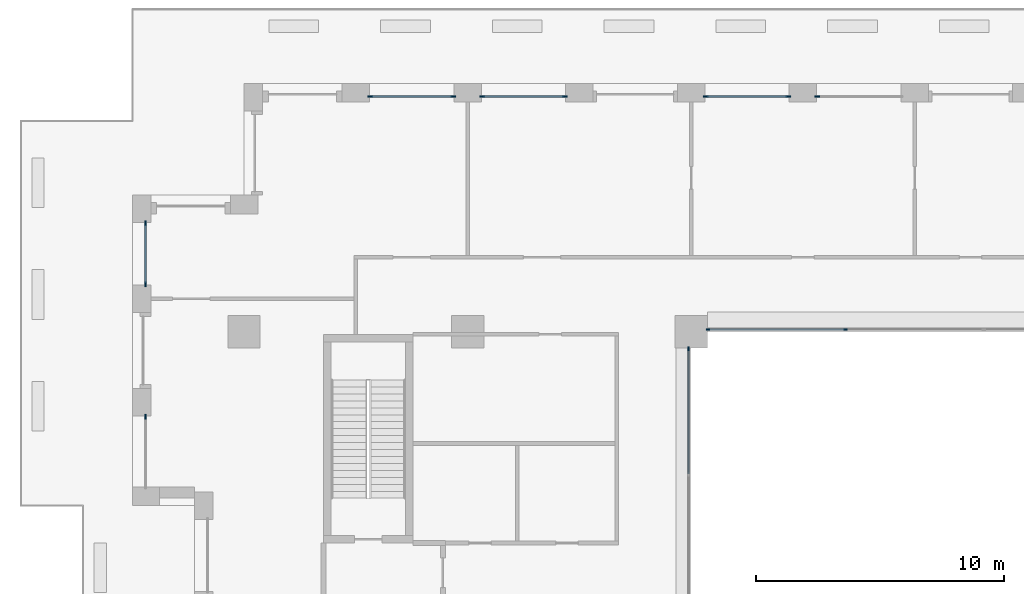
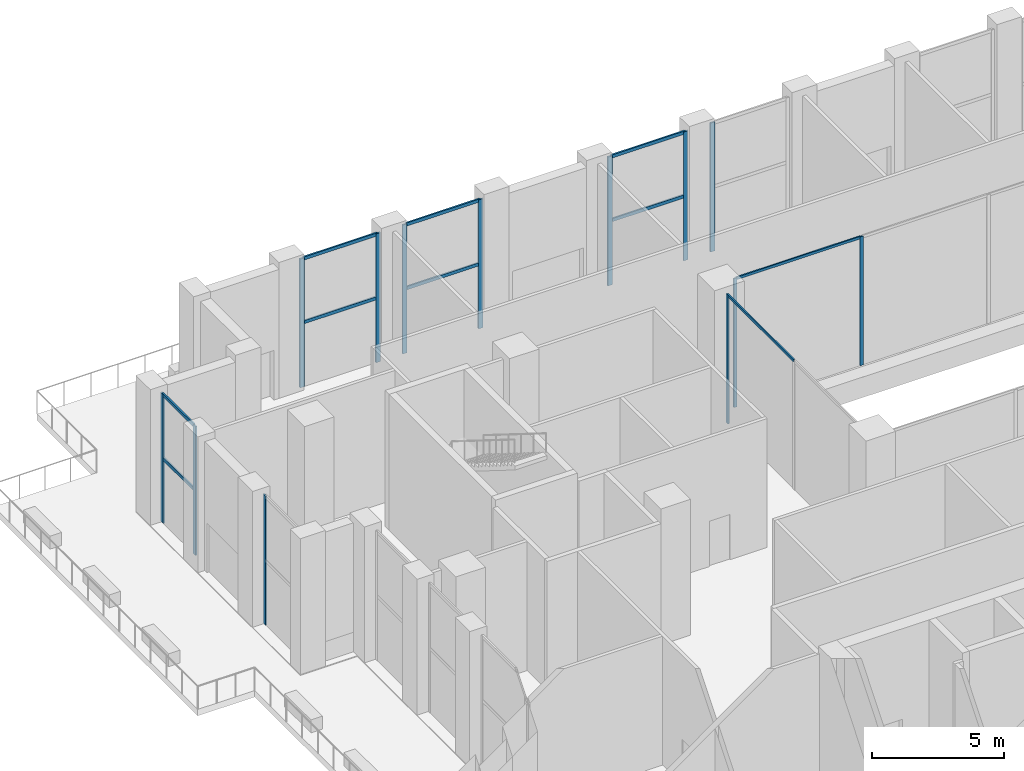
# One storey, part 6 of 21: 23 members, 8 elements without a shape of their own.
"""IFC4 building model written with IfcOpenShell, lengths in metres."""

import ifcopenshell
import ifcopenshell.guid

model = None  # the IFC model being written
_history = None  # IfcOwnerHistory: only IFC2X3 demands one
_inside = {}  # id of a spatial element -> (the spatial element, [elements in it])
_under = {}  # id of a project, library or spatial element -> (it, [spatial elements below it])
_declared = {}  # id of a project -> (the project, [libraries it declares])
_typed = {}  # id of a type object -> (the type object, [elements of that type])
_made_of = {}  # id of a material, layer set ... -> (it, [elements and type objects made of it])


def new_model(schema):
    """Start an empty IFC model of exactly this schema.

    Asked for "IFC4X3", IfcOpenShell would pick the latest addendum, in which some entities
    have other attributes; the version numbers below select the first issue.
    IFC2X3 requires an IfcOwnerHistory on every rooted entity: one is made here for all.
    """
    global model, _history
    if schema == "IFC4X3":
        model = ifcopenshell.file(schema_version=(4, 3, 0, 0))
    else:
        model = ifcopenshell.file(schema=schema)
    _inside.clear()
    _under.clear()
    _declared.clear()
    _typed.clear()
    _made_of.clear()
    _history = None
    if model.schema == "IFC2X3":
        org = make("IfcOrganization", Name="unknown")
        user = make(
            "IfcPersonAndOrganization",
            ThePerson=make("IfcPerson", FamilyName="unknown"),
            TheOrganization=org,
        )
        app = make(
            "IfcApplication",
            ApplicationDeveloper=org,
            Version="unknown",
            ApplicationFullName="unknown",
            ApplicationIdentifier="unknown",
        )
        _history = make(
            "IfcOwnerHistory",
            OwningUser=user,
            OwningApplication=app,
            ChangeAction="ADDED",
            CreationDate=0,
        )
    return model


def make(cls, **values):
    """One entity of the class cls with the attributes given. An attribute that is None is left unset."""
    return model.create_entity(
        cls, **{name: value for name, value in values.items() if value is not None}
    )


def rooted(cls, **values):
    """An entity with a GlobalId (a new one), such as an element, a storey or a relation."""
    return make(cls, GlobalId=ifcopenshell.guid.new(), OwnerHistory=_history, **values)


def si_unit(unit_type, name, prefix=None):
    """IfcSIUnit, for example si_unit("LENGTHUNIT", "METRE", prefix="MILLI")."""
    return make("IfcSIUnit", UnitType=unit_type, Prefix=prefix, Name=name)


def assignment(units):
    """IfcUnitAssignment: the units of a project."""
    return None if units is None else make("IfcUnitAssignment", Units=units)


def point(xyz):
    """IfcCartesianPoint."""
    return None if xyz is None else make("IfcCartesianPoint", Coordinates=xyz)


def direction(xyz):
    """IfcDirection."""
    return None if xyz is None else make("IfcDirection", DirectionRatios=xyz)


def frame(location, z_axis=None, x_axis=None):
    """IfcAxis2Placement3D, a coordinate frame: its origin and axes. An axis left out is left unset."""
    return make(
        "IfcAxis2Placement3D",
        Location=point(location),
        Axis=direction(z_axis),
        RefDirection=direction(x_axis),
    )


def frame_2d(location, x_axis=None):
    """IfcAxis2Placement2D, a coordinate frame in the plane: its origin and x axis."""
    return make(
        "IfcAxis2Placement2D", Location=point(location), RefDirection=direction(x_axis)
    )


def origin():
    """The frame at (0, 0, 0) with its axes left unset."""
    return frame((0.0, 0.0, 0.0))


def origin_2d():
    """The frame at (0, 0) in the plane with its x axis left unset."""
    return frame_2d((0.0, 0.0))


def place(relative_to, where):
    """IfcLocalPlacement: puts the frame where relative to a parent placement (None: the world)."""
    return make(
        "IfcLocalPlacement", PlacementRelTo=relative_to, RelativePlacement=where
    )


def context(
    kind, dimensions, precision=None, world=None, true_north=None, identifier=None
):
    """IfcGeometricRepresentationContext, for example the 3D "Model" context."""
    return make(
        "IfcGeometricRepresentationContext",
        ContextIdentifier=identifier,
        ContextType=kind,
        CoordinateSpaceDimension=dimensions,
        Precision=precision,
        WorldCoordinateSystem=world,
        TrueNorth=true_north,
    )


def subcontext(parent, identifier, kind, view, scale=None):
    """IfcGeometricRepresentationSubContext, for example "Body" below "Model"."""
    return make(
        "IfcGeometricRepresentationSubContext",
        ContextIdentifier=identifier,
        ContextType=kind,
        ParentContext=parent,
        TargetScale=scale,
        TargetView=view,
    )


def project(units=None, contexts=None):
    """IfcProject with its units and contexts."""
    return rooted(
        "IfcProject",
        Name="project",
        RepresentationContexts=contexts,
        UnitsInContext=assignment(units),
    )


def spatial(cls, under=None, at=None, **own):
    """A site, building, storey or space (cls), placed at a placement, below another one or the project."""
    s = rooted(cls, ObjectPlacement=at, **own)
    if under is not None:
        _under.setdefault(under.id(), (under, []))[1].append(s)
    return s


def profile(cls, at=None, kind="AREA", **sizes):
    """A parametric profile (cls). Its sizes go by their IFC names, for example OverallWidth=200.0."""
    return make(cls, ProfileType=kind, Position=at, **sizes)


def rectangle(**sizes):
    """IfcRectangleProfileDef."""
    return profile("IfcRectangleProfileDef", **sizes)


def extrude(swept, where, along, depth):
    """IfcExtrudedAreaSolid: the profile swept, set in the frame where, extruded along a direction by depth."""
    return make(
        "IfcExtrudedAreaSolid",
        SweptArea=swept,
        Position=where,
        ExtrudedDirection=direction(along),
        Depth=depth,
    )


def shape(context_of_items, identifier, shape_type, items):
    """IfcShapeRepresentation: the items that make up one representation, for example the "Body"."""
    return make(
        "IfcShapeRepresentation",
        ContextOfItems=context_of_items,
        RepresentationIdentifier=identifier,
        RepresentationType=shape_type,
        Items=items,
    )


def material(Name=None, Category=None):
    """IfcMaterial."""
    return make("IfcMaterial", Name=Name, Category=Category)


def layer(
    of_material, thickness, ventilated=None, Name=None, Category=None, Priority=None
):
    """IfcMaterialLayer: one layer of a wall or slab, of a material (None: an air gap)."""
    return make(
        "IfcMaterialLayer",
        Material=of_material,
        LayerThickness=thickness,
        IsVentilated=ventilated,
        Name=Name,
        Category=Category,
        Priority=Priority,
    )


def layer_set(layers, Name=None):
    """IfcMaterialLayerSet."""
    return make("IfcMaterialLayerSet", MaterialLayers=layers, LayerSetName=Name)


def material_profile(
    of_material, cross_section, Name=None, Category=None, Priority=None
):
    """IfcMaterialProfile: a cross section and its material."""
    return make(
        "IfcMaterialProfile",
        Name=Name,
        Material=of_material,
        Profile=cross_section,
        Priority=Priority,
        Category=Category,
    )


def profile_set(profiles, Name=None, composite=None):
    """IfcMaterialProfileSet."""
    return make(
        "IfcMaterialProfileSet",
        Name=Name,
        MaterialProfiles=profiles,
        CompositeProfile=composite,
    )


def made_of(thing, what):
    """Note that an element or type object is made of a material, layer set ...; save() writes the relation."""
    if what is not None:
        _made_of.setdefault(what.id(), (what, []))[1].append(thing)
    return thing


def type_object(cls, material=None, **own):
    """A type object (cls), such as IfcWallType, which elements share."""
    return made_of(rooted(cls, **own), material)


def element(
    cls,
    number,
    at=None,
    inside=None,
    cuts=None,
    type_object=None,
    material=None,
    context=None,
    identifier="Body",
    shape_type=None,
    held_by="IfcProductDefinitionShape",
    body=None,
    shapes=None,
    **own,
):
    """One element of the class cls, such as IfcWall. Its Tag is "e" and its number.

    at: its placement. inside: the storey or other place that contains it. cuts: it is an
    opening in that element (IfcRelVoidsElement). A single representation is given by context,
    identifier, shape_type and body (its items); several are given by shapes. held_by: the class
    of the entity that holds the representations. save() writes the other relations.
    """
    e = rooted(cls, Tag="e%d" % number, ObjectPlacement=at, **own)
    if body is not None:
        shapes = [shape(context, identifier, shape_type, body)]
    if shapes is not None:
        e.Representation = make(held_by, Representations=shapes)
    if inside is not None:
        _inside.setdefault(inside.id(), (inside, []))[1].append(e)
    if cuts is not None:
        rooted(
            "IfcRelVoidsElement", RelatingBuildingElement=cuts, RelatedOpeningElement=e
        )
    if type_object is not None:
        _typed.setdefault(type_object.id(), (type_object, []))[1].append(e)
    return made_of(e, material)


def aggregate(whole, parts):
    """IfcRelAggregates: a whole, such as a stair, and the parts it consists of."""
    return rooted("IfcRelAggregates", RelatingObject=whole, RelatedObjects=parts)


def save(model, path):
    """Write the relations noted so far, then the file.

    IfcRelAggregates (storeys below a building ...), IfcRelContainedInSpatialStructure (elements
    in a storey), IfcRelDefinesByType, IfcRelAssociatesMaterial and IfcRelDeclares: one each for
    every whole, place, type object, material and project.
    """
    for whole, parts in _under.values():
        aggregate(whole, parts)
    for where, things in _inside.values():
        rooted(
            "IfcRelContainedInSpatialStructure",
            RelatedElements=things,
            RelatingStructure=where,
        )
    for kind, things in _typed.values():
        rooted("IfcRelDefinesByType", RelatedObjects=things, RelatingType=kind)
    for what, things in _made_of.values():
        rooted("IfcRelAssociatesMaterial", RelatedObjects=things, RelatingMaterial=what)
    for by, libraries in _declared.values():
        rooted("IfcRelDeclares", RelatingContext=by, RelatedDefinitions=libraries)
    model.write(path)


model = new_model("IFC4")

# Units and contexts
model_context = context("Model", 3, precision=1e-05, world=origin(), true_north=direction((0.0, 1.0)))
body_context = subcontext(model_context, "Body", "Model", "MODEL_VIEW")
ifc_project = project(units=[si_unit("LENGTHUNIT", "METRE"), si_unit("AREAUNIT", "SQUARE_METRE"), si_unit("VOLUMEUNIT", "CUBIC_METRE"), si_unit("PLANEANGLEUNIT", "RADIAN"), si_unit("MASSUNIT", "GRAM", prefix="KILO")], contexts=[model_context])

# Site, building, storey
site_placement = place(None, origin())
site = spatial("IfcSite", under=ifc_project, at=site_placement, CompositionType="ELEMENT")
building_placement = place(site_placement, origin())
building = spatial("IfcBuilding", under=site, at=building_placement, Name="Brigalow Station Residences", CompositionType="ELEMENT")
storey_placement = place(building_placement, frame((0.0, 0.0, 77.25)))
storey = spatial("IfcBuildingStorey", under=building, at=storey_placement, Name="L22", CompositionType="ELEMENT", Elevation=77.25)

# Curtain wall, members
ifc_material_1 = material(Name="Aluminium", Category="aluminium")
ifc_layer_1 = layer(ifc_material_1, 0.14990234375)
ifc_layer_set_1 = layer_set([ifc_layer_1], Name="ATRIUM FIRE-RATED GLAZING CURTAIN WALL")
curtain_wall_type_1 = type_object("IfcCurtainWallType", Name="ATRIUM FIRE-RATED GLAZING CURTAIN WALL", PredefinedType="NOTDEFINED", material=ifc_layer_set_1)
curtain_wall_1_placement = place(storey_placement, origin())
curtain_wall_1 = element("IfcCurtainWall", 1, at=curtain_wall_1_placement, inside=storey, type_object=curtain_wall_type_1, Name="L22/cw/atrium-N", PredefinedType="NOTDEFINED")
ifc_material_2 = material(Name="Aluminium", Category="aluminium")
ifc_material_profile_1 = material_profile(ifc_material_2, rectangle(XDim=0.06005859375, YDim=0.14990234375, at=origin_2d()), Name="ATRIUM FIRE-RATED GLAZING MULLION 60x150")
ifc_profile_set_1 = profile_set([ifc_material_profile_1], Name="Aluminium")
member_type_1 = type_object("IfcMemberType", Name="ATRIUM FIRE-RATED GLAZING MULLION 60x150", PredefinedType="MULLION", material=ifc_profile_set_1)
member_1_placement = place(storey_placement, frame((33.216796875, 35.60009765625, 0.0), z_axis=(0.0, 0.0, 1.0), x_axis=(0.0, -1.0, 0.0)))
member_1 = element("IfcMember", 2, at=member_1_placement, type_object=member_type_1, Name="L22/cw/atrium-N/M02", PredefinedType="MULLION", context=body_context, shape_type="SweptSolid", body=[
    extrude(rectangle(XDim=0.06005859375, YDim=0.14990234375, at=origin_2d()), origin(), (0.0, 0.0, 1.0), 5.97998046875),
])
member_2_placement = place(storey_placement, frame((27.679931640625, 35.60009765625, 0.0), z_axis=(0.0, 0.0, 1.0), x_axis=(0.0, -1.0, 0.0)))
member_2 = element("IfcMember", 3, at=member_2_placement, type_object=member_type_1, Name="L22/cw/atrium-N/M03", PredefinedType="MULLION", context=body_context, shape_type="SweptSolid", body=[
    extrude(rectangle(XDim=0.06005859375, YDim=0.14990234375, at=origin_2d()), origin(), (0.0, 0.0, 1.0), 5.97998046875),
])

# Curtain wall, member
curtain_wall_2_placement = place(storey_placement, origin())
curtain_wall_2 = element("IfcCurtainWall", 4, at=curtain_wall_2_placement, inside=storey, type_object=curtain_wall_type_1, Name="L22/cw/atrium-W", PredefinedType="NOTDEFINED")
member_3_placement = place(storey_placement, frame((26.89990234375, 34.820068359375, 0.0), z_axis=(0.0, 0.0, 1.0), x_axis=(1.0, 0.0, 0.0)))
member_3 = element("IfcMember", 5, at=member_3_placement, type_object=member_type_1, Name="L22/cw/atrium-W/M00", PredefinedType="MULLION", context=body_context, shape_type="SweptSolid", body=[
    extrude(rectangle(XDim=0.06005859375, YDim=0.14990234375, at=origin_2d()), origin(), (0.0, 0.0, 1.0), 5.97998046875),
])

# Member
ifc_material_3 = material(Name="Aluminium", Category="aluminium")
ifc_material_profile_2 = material_profile(ifc_material_3, rectangle(XDim=0.06005859375, YDim=0.1201171875, at=origin_2d()), Name="ATRIUM FIRE-RATED GLAZING TRANSOM 60x120")
ifc_profile_set_2 = profile_set([ifc_material_profile_2], Name="Aluminium")
member_type_2 = type_object("IfcMemberType", Name="ATRIUM FIRE-RATED GLAZING TRANSOM 60x120", PredefinedType="USERDEFINED", material=ifc_profile_set_2)
member_4_placement = place(storey_placement, frame((33.186767578125, 35.60009765625, 5.949951171875), z_axis=(-1.0, 0.0, 0.0), x_axis=(0.0, -1.0, 0.0)))
member_4 = element("IfcMember", 6, at=member_4_placement, type_object=member_type_2, Name="L22/cw/atrium-N/T02-00", ObjectType="TRANSOM", PredefinedType="USERDEFINED", context=body_context, shape_type="SweptSolid", body=[
    extrude(rectangle(XDim=0.06005859375, YDim=0.1201171875, at=origin_2d()), origin(), (0.0, 0.0, 1.0), 5.476806640625),
])

aggregate(curtain_wall_1, [member_1, member_2, member_4])

member_5_placement = place(storey_placement, frame((26.89990234375, 34.7900390625, 5.949951171875), z_axis=(0.0, -1.0, 0.0), x_axis=(1.0, 0.0, 0.0)))
member_5 = element("IfcMember", 7, at=member_5_placement, type_object=member_type_2, Name="L22/cw/atrium-W/T00-00", ObjectType="TRANSOM", PredefinedType="USERDEFINED", context=body_context, shape_type="SweptSolid", body=[
    extrude(rectangle(XDim=0.06005859375, YDim=0.1201171875, at=origin_2d()), origin(), (0.0, 0.0, 1.0), 5.010009765625),
])

aggregate(curtain_wall_2, [member_3, member_5])

# Curtain wall, member
ifc_material_4 = material(Name="Aluminium", Category="aluminium")
ifc_layer_2 = layer(ifc_material_4, 0.199951171875)
ifc_layer_set_2 = layer_set([ifc_layer_2], Name="SKY FLOOR GLAZING CURTAIN WALL")
curtain_wall_type_2 = type_object("IfcCurtainWallType", Name="SKY FLOOR GLAZING CURTAIN WALL", PredefinedType="NOTDEFINED", material=ifc_layer_set_2)
curtain_wall_3_placement = place(storey_placement, origin())
curtain_wall_3 = element("IfcCurtainWall", 8, at=curtain_wall_3_placement, inside=storey, type_object=curtain_wall_type_2, Name="L22/cw/W-L22-31", PredefinedType="NOTDEFINED")
ifc_material_5 = material(Name="Aluminium", Category="aluminium")
ifc_material_profile_3 = material_profile(ifc_material_5, rectangle(XDim=0.070068359375, YDim=0.199951171875, at=origin_2d()), Name="SKY FLOOR GLAZING MULLION 70x200")
ifc_profile_set_3 = profile_set([ifc_material_profile_3], Name="Aluminium")
member_type_3 = type_object("IfcMemberType", Name="SKY FLOOR GLAZING MULLION 70x200", PredefinedType="MULLION", material=ifc_profile_set_3)
member_6_placement = place(storey_placement, frame((32.0849609375, 44.97509765625, 0.0), z_axis=(0.0, 0.0, 1.0), x_axis=(0.0, -1.0, 0.0)))
member_6 = element("IfcMember", 9, at=member_6_placement, type_object=member_type_3, Name="L22/cw/W-L22-31/M01", PredefinedType="MULLION", context=body_context, shape_type="SweptSolid", body=[
    extrude(rectangle(XDim=0.070068359375, YDim=0.199951171875, at=origin_2d()), origin(), (0.0, 0.0, 1.0), 5.97998046875),
])
aggregate(curtain_wall_3, [member_6])

# Curtain wall, members
curtain_wall_4_placement = place(storey_placement, origin())
curtain_wall_4 = element("IfcCurtainWall", 10, at=curtain_wall_4_placement, inside=storey, type_object=curtain_wall_type_2, Name="L22/cw/W-L22-32", PredefinedType="NOTDEFINED")
member_7_placement = place(storey_placement, frame((30.9150390625, 44.97509765625, 0.0), z_axis=(0.0, 0.0, 1.0), x_axis=(0.0, -1.0, 0.0)))
member_7 = element("IfcMember", 11, at=member_7_placement, type_object=member_type_3, Name="L22/cw/W-L22-32/M00", PredefinedType="MULLION", context=body_context, shape_type="SweptSolid", body=[
    extrude(rectangle(XDim=0.070068359375, YDim=0.199951171875, at=origin_2d()), origin(), (0.0, 0.0, 1.0), 5.97998046875),
])
member_8_placement = place(storey_placement, frame((27.5849609375, 44.97509765625, 0.0), z_axis=(0.0, 0.0, 1.0), x_axis=(0.0, -1.0, 0.0)))
member_8 = element("IfcMember", 12, at=member_8_placement, type_object=member_type_3, Name="L22/cw/W-L22-32/M01", PredefinedType="MULLION", context=body_context, shape_type="SweptSolid", body=[
    extrude(rectangle(XDim=0.070068359375, YDim=0.199951171875, at=origin_2d()), origin(), (0.0, 0.0, 1.0), 5.97998046875),
])

curtain_wall_5_placement = place(storey_placement, origin())
curtain_wall_5 = element("IfcCurtainWall", 13, at=curtain_wall_5_placement, inside=storey, type_object=curtain_wall_type_2, Name="L22/cw/W-L22-34", PredefinedType="NOTDEFINED")
member_9_placement = place(storey_placement, frame((21.9150390625, 44.97509765625, 0.0), z_axis=(0.0, 0.0, 1.0), x_axis=(0.0, -1.0, 0.0)))
member_9 = element("IfcMember", 14, at=member_9_placement, type_object=member_type_3, Name="L22/cw/W-L22-34/M00", PredefinedType="MULLION", context=body_context, shape_type="SweptSolid", body=[
    extrude(rectangle(XDim=0.070068359375, YDim=0.199951171875, at=origin_2d()), origin(), (0.0, 0.0, 1.0), 5.97998046875),
])
member_10_placement = place(storey_placement, frame((18.5849609375, 44.97509765625, 0.0), z_axis=(0.0, 0.0, 1.0), x_axis=(0.0, -1.0, 0.0)))
member_10 = element("IfcMember", 15, at=member_10_placement, type_object=member_type_3, Name="L22/cw/W-L22-34/M01", PredefinedType="MULLION", context=body_context, shape_type="SweptSolid", body=[
    extrude(rectangle(XDim=0.070068359375, YDim=0.199951171875, at=origin_2d()), origin(), (0.0, 0.0, 1.0), 5.97998046875),
])

curtain_wall_6_placement = place(storey_placement, origin())
curtain_wall_6 = element("IfcCurtainWall", 16, at=curtain_wall_6_placement, inside=storey, type_object=curtain_wall_type_2, Name="L22/cw/W-L22-35", PredefinedType="NOTDEFINED")
member_11_placement = place(storey_placement, frame((17.4150390625, 44.97509765625, 0.0), z_axis=(0.0, 0.0, 1.0), x_axis=(0.0, -1.0, 0.0)))
member_11 = element("IfcMember", 17, at=member_11_placement, type_object=member_type_3, Name="L22/cw/W-L22-35/M00", PredefinedType="MULLION", context=body_context, shape_type="SweptSolid", body=[
    extrude(rectangle(XDim=0.070068359375, YDim=0.199951171875, at=origin_2d()), origin(), (0.0, 0.0, 1.0), 5.97998046875),
])
member_12_placement = place(storey_placement, frame((14.0849609375, 44.97509765625, 0.0), z_axis=(0.0, 0.0, 1.0), x_axis=(0.0, -1.0, 0.0)))
member_12 = element("IfcMember", 18, at=member_12_placement, type_object=member_type_3, Name="L22/cw/W-L22-35/M01", PredefinedType="MULLION", context=body_context, shape_type="SweptSolid", body=[
    extrude(rectangle(XDim=0.070068359375, YDim=0.199951171875, at=origin_2d()), origin(), (0.0, 0.0, 1.0), 5.97998046875),
])

curtain_wall_7_placement = place(storey_placement, origin())
curtain_wall_7 = element("IfcCurtainWall", 19, at=curtain_wall_7_placement, inside=storey, type_object=curtain_wall_type_2, Name="L22/cw/W-L22-39", PredefinedType="NOTDEFINED")
member_13_placement = place(storey_placement, frame((5.02490234375, 39.864990234375, 0.0), z_axis=(0.0, 0.0, 1.0), x_axis=(1.0, 0.0, 0.0)))
member_13 = element("IfcMember", 20, at=member_13_placement, type_object=member_type_3, Name="L22/cw/W-L22-39/M00", PredefinedType="MULLION", context=body_context, shape_type="SweptSolid", body=[
    extrude(rectangle(XDim=0.070068359375, YDim=0.199951171875, at=origin_2d()), origin(), (0.0, 0.0, 1.0), 5.97998046875),
])
member_14_placement = place(storey_placement, frame((5.02490234375, 37.41796875, 0.0), z_axis=(0.0, 0.0, 1.0), x_axis=(1.0, 0.0, 0.0)))
member_14 = element("IfcMember", 21, at=member_14_placement, type_object=member_type_3, Name="L22/cw/W-L22-39/M01", PredefinedType="MULLION", context=body_context, shape_type="SweptSolid", body=[
    extrude(rectangle(XDim=0.070068359375, YDim=0.199951171875, at=origin_2d()), origin(), (0.0, 0.0, 1.0), 5.97998046875),
])

# Curtain wall, member
curtain_wall_8_placement = place(storey_placement, origin())
curtain_wall_8 = element("IfcCurtainWall", 22, at=curtain_wall_8_placement, inside=storey, type_object=curtain_wall_type_2, Name="L22/cw/W-L22-41", PredefinedType="NOTDEFINED")
member_15_placement = place(storey_placement, frame((5.02490234375, 32.08203125, 0.0), z_axis=(0.0, 0.0, 1.0), x_axis=(1.0, 0.0, 0.0)))
member_15 = element("IfcMember", 23, at=member_15_placement, type_object=member_type_3, Name="L22/cw/W-L22-41/M00", PredefinedType="MULLION", context=body_context, shape_type="SweptSolid", body=[
    extrude(rectangle(XDim=0.070068359375, YDim=0.199951171875, at=origin_2d()), origin(), (0.0, 0.0, 1.0), 5.97998046875),
])
aggregate(curtain_wall_8, [member_15])

# Member
ifc_material_6 = material(Name="Aluminium", Category="aluminium")
ifc_material_profile_4 = material_profile(ifc_material_6, rectangle(XDim=0.070068359375, YDim=0.14990234375, at=origin_2d()), Name="SKY FLOOR GLAZING TRANSOM 70x150")
ifc_profile_set_4 = profile_set([ifc_material_profile_4], Name="Aluminium")
member_type_4 = type_object("IfcMemberType", Name="SKY FLOOR GLAZING TRANSOM 70x150", PredefinedType="USERDEFINED", material=ifc_profile_set_4)
member_16_placement = place(storey_placement, frame((30.8798828125, 44.97509765625, 2.989990234375), z_axis=(-1.0, 0.0, 0.0), x_axis=(0.0, -1.0, 0.0)))
member_16 = element("IfcMember", 24, at=member_16_placement, type_object=member_type_4, Name="L22/cw/W-L22-32/T00-00", ObjectType="TRANSOM", PredefinedType="USERDEFINED", context=body_context, shape_type="SweptSolid", body=[
    extrude(rectangle(XDim=0.070068359375, YDim=0.14990234375, at=origin_2d()), origin(), (0.0, 0.0, 1.0), 3.259765625),
])

member_17_placement = place(storey_placement, frame((30.8798828125, 44.97509765625, 5.945068359375), z_axis=(-1.0, 0.0, 0.0), x_axis=(0.0, -1.0, 0.0)))
member_17 = element("IfcMember", 25, at=member_17_placement, type_object=member_type_4, Name="L22/cw/W-L22-32/T00-01", ObjectType="TRANSOM", PredefinedType="USERDEFINED", context=body_context, shape_type="SweptSolid", body=[
    extrude(rectangle(XDim=0.070068359375, YDim=0.14990234375, at=origin_2d()), origin(), (0.0, 0.0, 1.0), 3.259765625),
])

aggregate(curtain_wall_4, [member_7, member_8, member_16, member_17])

member_18_placement = place(storey_placement, frame((21.8798828125, 44.97509765625, 2.989990234375), z_axis=(-1.0, 0.0, 0.0), x_axis=(0.0, -1.0, 0.0)))
member_18 = element("IfcMember", 26, at=member_18_placement, type_object=member_type_4, Name="L22/cw/W-L22-34/T00-00", ObjectType="TRANSOM", PredefinedType="USERDEFINED", context=body_context, shape_type="SweptSolid", body=[
    extrude(rectangle(XDim=0.070068359375, YDim=0.14990234375, at=origin_2d()), origin(), (0.0, 0.0, 1.0), 3.259765625),
])

member_19_placement = place(storey_placement, frame((21.8798828125, 44.97509765625, 5.945068359375), z_axis=(-1.0, 0.0, 0.0), x_axis=(0.0, -1.0, 0.0)))
member_19 = element("IfcMember", 27, at=member_19_placement, type_object=member_type_4, Name="L22/cw/W-L22-34/T00-01", ObjectType="TRANSOM", PredefinedType="USERDEFINED", context=body_context, shape_type="SweptSolid", body=[
    extrude(rectangle(XDim=0.070068359375, YDim=0.14990234375, at=origin_2d()), origin(), (0.0, 0.0, 1.0), 3.259765625),
])

aggregate(curtain_wall_5, [member_9, member_10, member_18, member_19])

member_20_placement = place(storey_placement, frame((17.3798828125, 44.97509765625, 2.989990234375), z_axis=(-1.0, 0.0, 0.0), x_axis=(0.0, -1.0, 0.0)))
member_20 = element("IfcMember", 28, at=member_20_placement, type_object=member_type_4, Name="L22/cw/W-L22-35/T00-00", ObjectType="TRANSOM", PredefinedType="USERDEFINED", context=body_context, shape_type="SweptSolid", body=[
    extrude(rectangle(XDim=0.070068359375, YDim=0.14990234375, at=origin_2d()), origin(), (0.0, 0.0, 1.0), 3.259765625),
])

member_21_placement = place(storey_placement, frame((17.3798828125, 44.97509765625, 5.945068359375), z_axis=(-1.0, 0.0, 0.0), x_axis=(0.0, -1.0, 0.0)))
member_21 = element("IfcMember", 29, at=member_21_placement, type_object=member_type_4, Name="L22/cw/W-L22-35/T00-01", ObjectType="TRANSOM", PredefinedType="USERDEFINED", context=body_context, shape_type="SweptSolid", body=[
    extrude(rectangle(XDim=0.070068359375, YDim=0.14990234375, at=origin_2d()), origin(), (0.0, 0.0, 1.0), 3.259765625),
])

aggregate(curtain_wall_6, [member_11, member_12, member_20, member_21])

member_22_placement = place(storey_placement, frame((5.02490234375, 39.830078125, 2.989990234375), z_axis=(0.0, -1.0, 0.0), x_axis=(1.0, 0.0, 0.0)))
member_22 = element("IfcMember", 30, at=member_22_placement, type_object=member_type_4, Name="L22/cw/W-L22-39/T00-00", ObjectType="TRANSOM", PredefinedType="USERDEFINED", context=body_context, shape_type="SweptSolid", body=[
    extrude(rectangle(XDim=0.070068359375, YDim=0.14990234375, at=origin_2d()), origin(), (0.0, 0.0, 1.0), 2.377197265625),
])

member_23_placement = place(storey_placement, frame((5.02490234375, 39.830078125, 5.945068359375), z_axis=(0.0, -1.0, 0.0), x_axis=(1.0, 0.0, 0.0)))
member_23 = element("IfcMember", 31, at=member_23_placement, type_object=member_type_4, Name="L22/cw/W-L22-39/T00-01", ObjectType="TRANSOM", PredefinedType="USERDEFINED", context=body_context, shape_type="SweptSolid", body=[
    extrude(rectangle(XDim=0.070068359375, YDim=0.14990234375, at=origin_2d()), origin(), (0.0, 0.0, 1.0), 2.377197265625),
])

aggregate(curtain_wall_7, [member_13, member_14, member_22, member_23])

save(model, "model.ifc")
